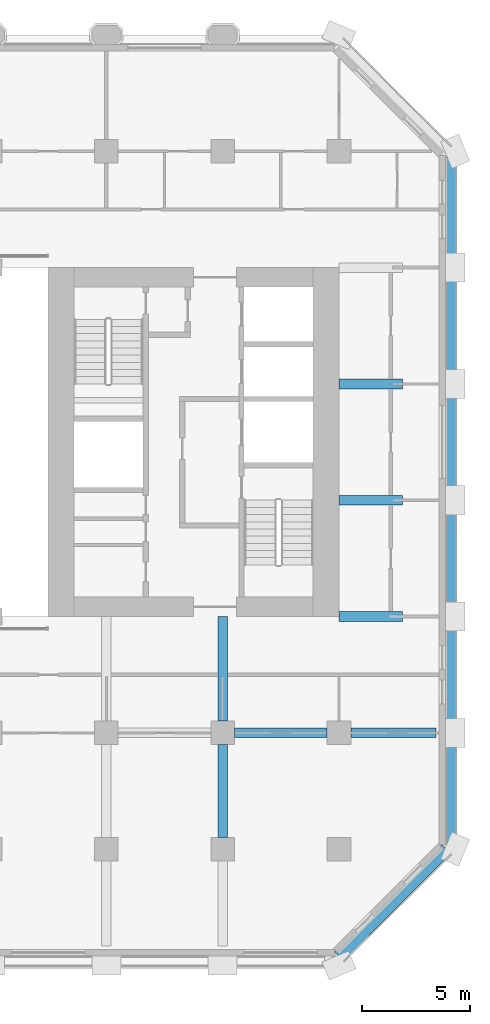
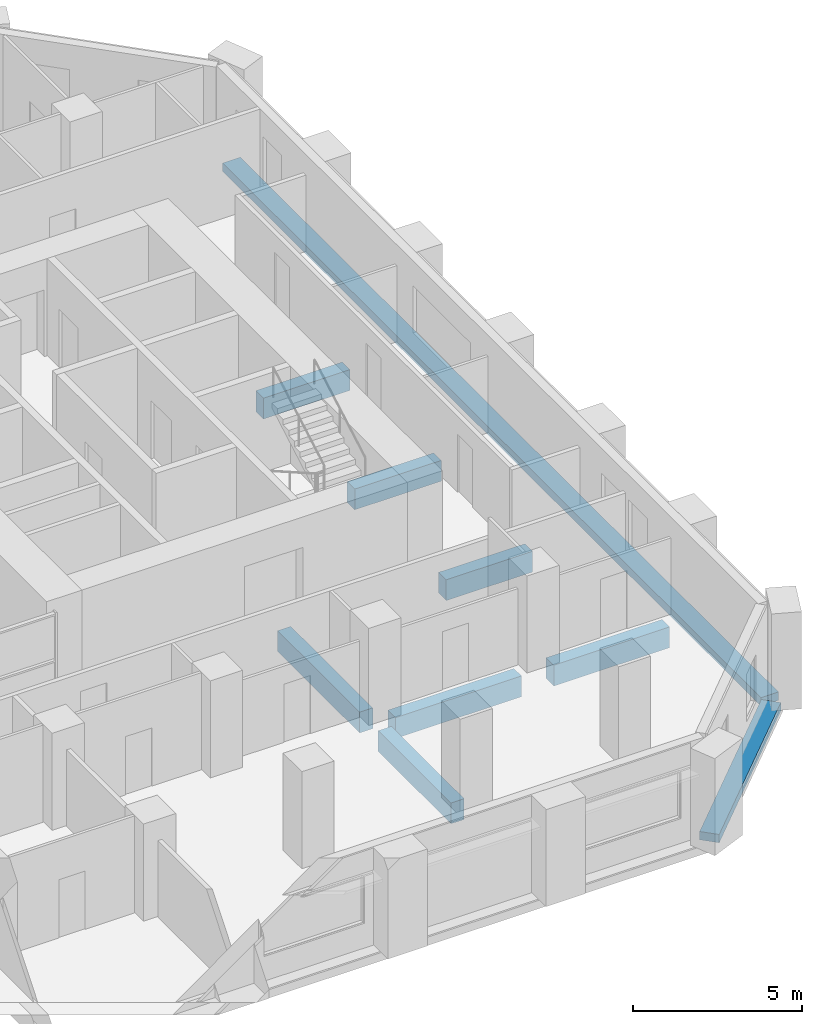
# One storey, part 5 of 13: 9 beams.
"""IFC4 building model written with IfcOpenShell, lengths in metres."""

import ifcopenshell
import ifcopenshell.guid

model = None  # the IFC model being written
_history = None  # IfcOwnerHistory: only IFC2X3 demands one
_inside = {}  # id of a spatial element -> (the spatial element, [elements in it])
_under = {}  # id of a project, library or spatial element -> (it, [spatial elements below it])
_declared = {}  # id of a project -> (the project, [libraries it declares])
_typed = {}  # id of a type object -> (the type object, [elements of that type])
_made_of = {}  # id of a material, layer set ... -> (it, [elements and type objects made of it])


def new_model(schema):
    """Start an empty IFC model of exactly this schema.

    Asked for "IFC4X3", IfcOpenShell would pick the latest addendum, in which some entities
    have other attributes; the version numbers below select the first issue.
    IFC2X3 requires an IfcOwnerHistory on every rooted entity: one is made here for all.
    """
    global model, _history
    if schema == "IFC4X3":
        model = ifcopenshell.file(schema_version=(4, 3, 0, 0))
    else:
        model = ifcopenshell.file(schema=schema)
    _inside.clear()
    _under.clear()
    _declared.clear()
    _typed.clear()
    _made_of.clear()
    _history = None
    if model.schema == "IFC2X3":
        org = make("IfcOrganization", Name="unknown")
        user = make(
            "IfcPersonAndOrganization",
            ThePerson=make("IfcPerson", FamilyName="unknown"),
            TheOrganization=org,
        )
        app = make(
            "IfcApplication",
            ApplicationDeveloper=org,
            Version="unknown",
            ApplicationFullName="unknown",
            ApplicationIdentifier="unknown",
        )
        _history = make(
            "IfcOwnerHistory",
            OwningUser=user,
            OwningApplication=app,
            ChangeAction="ADDED",
            CreationDate=0,
        )
    return model


def make(cls, **values):
    """One entity of the class cls with the attributes given. An attribute that is None is left unset."""
    return model.create_entity(
        cls, **{name: value for name, value in values.items() if value is not None}
    )


def rooted(cls, **values):
    """An entity with a GlobalId (a new one), such as an element, a storey or a relation."""
    return make(cls, GlobalId=ifcopenshell.guid.new(), OwnerHistory=_history, **values)


def si_unit(unit_type, name, prefix=None):
    """IfcSIUnit, for example si_unit("LENGTHUNIT", "METRE", prefix="MILLI")."""
    return make("IfcSIUnit", UnitType=unit_type, Prefix=prefix, Name=name)


def assignment(units):
    """IfcUnitAssignment: the units of a project."""
    return None if units is None else make("IfcUnitAssignment", Units=units)


def point(xyz):
    """IfcCartesianPoint."""
    return None if xyz is None else make("IfcCartesianPoint", Coordinates=xyz)


def direction(xyz):
    """IfcDirection."""
    return None if xyz is None else make("IfcDirection", DirectionRatios=xyz)


def frame(location, z_axis=None, x_axis=None):
    """IfcAxis2Placement3D, a coordinate frame: its origin and axes. An axis left out is left unset."""
    return make(
        "IfcAxis2Placement3D",
        Location=point(location),
        Axis=direction(z_axis),
        RefDirection=direction(x_axis),
    )


def frame_2d(location, x_axis=None):
    """IfcAxis2Placement2D, a coordinate frame in the plane: its origin and x axis."""
    return make(
        "IfcAxis2Placement2D", Location=point(location), RefDirection=direction(x_axis)
    )


def origin():
    """The frame at (0, 0, 0) with its axes left unset."""
    return frame((0.0, 0.0, 0.0))


def origin_2d():
    """The frame at (0, 0) in the plane with its x axis left unset."""
    return frame_2d((0.0, 0.0))


def place(relative_to, where):
    """IfcLocalPlacement: puts the frame where relative to a parent placement (None: the world)."""
    return make(
        "IfcLocalPlacement", PlacementRelTo=relative_to, RelativePlacement=where
    )


def context(
    kind, dimensions, precision=None, world=None, true_north=None, identifier=None
):
    """IfcGeometricRepresentationContext, for example the 3D "Model" context."""
    return make(
        "IfcGeometricRepresentationContext",
        ContextIdentifier=identifier,
        ContextType=kind,
        CoordinateSpaceDimension=dimensions,
        Precision=precision,
        WorldCoordinateSystem=world,
        TrueNorth=true_north,
    )


def subcontext(parent, identifier, kind, view, scale=None):
    """IfcGeometricRepresentationSubContext, for example "Body" below "Model"."""
    return make(
        "IfcGeometricRepresentationSubContext",
        ContextIdentifier=identifier,
        ContextType=kind,
        ParentContext=parent,
        TargetScale=scale,
        TargetView=view,
    )


def project(units=None, contexts=None):
    """IfcProject with its units and contexts."""
    return rooted(
        "IfcProject",
        Name="project",
        RepresentationContexts=contexts,
        UnitsInContext=assignment(units),
    )


def spatial(cls, under=None, at=None, **own):
    """A site, building, storey or space (cls), placed at a placement, below another one or the project."""
    s = rooted(cls, ObjectPlacement=at, **own)
    if under is not None:
        _under.setdefault(under.id(), (under, []))[1].append(s)
    return s


def profile(cls, at=None, kind="AREA", **sizes):
    """A parametric profile (cls). Its sizes go by their IFC names, for example OverallWidth=200.0."""
    return make(cls, ProfileType=kind, Position=at, **sizes)


def rectangle(**sizes):
    """IfcRectangleProfileDef."""
    return profile("IfcRectangleProfileDef", **sizes)


def extrude(swept, where, along, depth):
    """IfcExtrudedAreaSolid: the profile swept, set in the frame where, extruded along a direction by depth."""
    return make(
        "IfcExtrudedAreaSolid",
        SweptArea=swept,
        Position=where,
        ExtrudedDirection=direction(along),
        Depth=depth,
    )


def shape(context_of_items, identifier, shape_type, items):
    """IfcShapeRepresentation: the items that make up one representation, for example the "Body"."""
    return make(
        "IfcShapeRepresentation",
        ContextOfItems=context_of_items,
        RepresentationIdentifier=identifier,
        RepresentationType=shape_type,
        Items=items,
    )


def material(Name=None, Category=None):
    """IfcMaterial."""
    return make("IfcMaterial", Name=Name, Category=Category)


def material_profile(
    of_material, cross_section, Name=None, Category=None, Priority=None
):
    """IfcMaterialProfile: a cross section and its material."""
    return make(
        "IfcMaterialProfile",
        Name=Name,
        Material=of_material,
        Profile=cross_section,
        Priority=Priority,
        Category=Category,
    )


def profile_set(profiles, Name=None, composite=None):
    """IfcMaterialProfileSet."""
    return make(
        "IfcMaterialProfileSet",
        Name=Name,
        MaterialProfiles=profiles,
        CompositeProfile=composite,
    )


def made_of(thing, what):
    """Note that an element or type object is made of a material, layer set ...; save() writes the relation."""
    if what is not None:
        _made_of.setdefault(what.id(), (what, []))[1].append(thing)
    return thing


def type_object(cls, material=None, **own):
    """A type object (cls), such as IfcWallType, which elements share."""
    return made_of(rooted(cls, **own), material)


def element(
    cls,
    number,
    at=None,
    inside=None,
    cuts=None,
    type_object=None,
    material=None,
    context=None,
    identifier="Body",
    shape_type=None,
    held_by="IfcProductDefinitionShape",
    body=None,
    shapes=None,
    **own,
):
    """One element of the class cls, such as IfcWall. Its Tag is "e" and its number.

    at: its placement. inside: the storey or other place that contains it. cuts: it is an
    opening in that element (IfcRelVoidsElement). A single representation is given by context,
    identifier, shape_type and body (its items); several are given by shapes. held_by: the class
    of the entity that holds the representations. save() writes the other relations.
    """
    e = rooted(cls, Tag="e%d" % number, ObjectPlacement=at, **own)
    if body is not None:
        shapes = [shape(context, identifier, shape_type, body)]
    if shapes is not None:
        e.Representation = make(held_by, Representations=shapes)
    if inside is not None:
        _inside.setdefault(inside.id(), (inside, []))[1].append(e)
    if cuts is not None:
        rooted(
            "IfcRelVoidsElement", RelatingBuildingElement=cuts, RelatedOpeningElement=e
        )
    if type_object is not None:
        _typed.setdefault(type_object.id(), (type_object, []))[1].append(e)
    return made_of(e, material)


def aggregate(whole, parts):
    """IfcRelAggregates: a whole, such as a stair, and the parts it consists of."""
    return rooted("IfcRelAggregates", RelatingObject=whole, RelatedObjects=parts)


def save(model, path):
    """Write the relations noted so far, then the file.

    IfcRelAggregates (storeys below a building ...), IfcRelContainedInSpatialStructure (elements
    in a storey), IfcRelDefinesByType, IfcRelAssociatesMaterial and IfcRelDeclares: one each for
    every whole, place, type object, material and project.
    """
    for whole, parts in _under.values():
        aggregate(whole, parts)
    for where, things in _inside.values():
        rooted(
            "IfcRelContainedInSpatialStructure",
            RelatedElements=things,
            RelatingStructure=where,
        )
    for kind, things in _typed.values():
        rooted("IfcRelDefinesByType", RelatedObjects=things, RelatingType=kind)
    for what, things in _made_of.values():
        rooted("IfcRelAssociatesMaterial", RelatedObjects=things, RelatingMaterial=what)
    for by, libraries in _declared.values():
        rooted("IfcRelDeclares", RelatingContext=by, RelatedDefinitions=libraries)
    model.write(path)


model = new_model("IFC4")

# Units and contexts
model_context = context("Model", 3, precision=1e-05, world=origin(), true_north=direction((0.0, 1.0)))
body_context = subcontext(model_context, "Body", "Model", "MODEL_VIEW")
ifc_project = project(units=[si_unit("LENGTHUNIT", "METRE"), si_unit("AREAUNIT", "SQUARE_METRE"), si_unit("VOLUMEUNIT", "CUBIC_METRE"), si_unit("PLANEANGLEUNIT", "RADIAN"), si_unit("MASSUNIT", "GRAM", prefix="KILO")], contexts=[model_context])

# Site, building, storey
site_placement = place(None, origin())
site = spatial("IfcSite", under=ifc_project, at=site_placement, CompositionType="ELEMENT")
building_placement = place(site_placement, origin())
building = spatial("IfcBuilding", under=site, at=building_placement, Name="Tabaq Tower and Sports Hall", CompositionType="ELEMENT")
storey_placement = place(building_placement, frame((0.0, 0.0, 45.0)))
storey = spatial("IfcBuildingStorey", under=building, at=storey_placement, Name="L09", CompositionType="ELEMENT", Elevation=45.0)

# Beams
ifc_material_1 = material(Name="Concrete C40/50", Category="concrete")
ifc_material_profile_1 = material_profile(ifc_material_1, rectangle(XDim=0.449951171875, YDim=0.75, at=origin_2d()), Name="CB 450x750")
ifc_profile_set_1 = profile_set([ifc_material_profile_1], Name="Concrete C40/50")
beam_type_1 = type_object("IfcBeamType", Name="PT CANTILEVER BEAM CB 450x750 C40/50", PredefinedType="BEAM", material=ifc_profile_set_1)
beam_1_placement = place(storey_placement, frame((47.699951171875, 10.800048828125, -0.675048828125), z_axis=(-1.0, 0.0, 0.0), x_axis=(0.0, -1.0, 0.0)))
element("IfcBeam", 1, at=beam_1_placement, inside=storey, type_object=beam_type_1, Name="Cantilever Beam L09 E2 span 1", PredefinedType="BEAM", context=body_context, shape_type="SweptSolid", body=[
    extrude(rectangle(XDim=0.449951171875, YDim=0.75, at=origin_2d()), origin(), (0.0, 0.0, 1.0), 3.949951171875),
])
beam_2_placement = place(storey_placement, frame((42.64990234375, 10.800048828125, -0.675048828125), z_axis=(-1.0, 0.0, 0.0), x_axis=(0.0, -1.0, 0.0)))
element("IfcBeam", 2, at=beam_2_placement, inside=storey, type_object=beam_type_1, Name="Cantilever Beam L09 E2 span 2", PredefinedType="BEAM", context=body_context, shape_type="SweptSolid", body=[
    extrude(rectangle(XDim=0.449951171875, YDim=0.75, at=origin_2d()), origin(), (0.0, 0.0, 1.0), 4.2998046875),
])
for number, where, z_axis, x_axis, name in (
    (3, (46.14990234375, 16.199951171875, -0.675048828125), (-1.0, 0.0, 0.0), (0.0, -1.0, 0.0), "Cantilever Beam L09 E3 span 1"),
    (4, (46.14990234375, 21.60009765625, -0.675048828125), (-1.0, 0.0, 0.0), (0.0, -1.0, 0.0), "Cantilever Beam L09 E4 span 1"),
    (5, (46.14990234375, 27.0, -0.675048828125), (-1.0, 0.0, 0.0), (0.0, -1.0, 0.0), "Cantilever Beam L09 E5 span 1"),
):
    element("IfcBeam", number, at=place(storey_placement, frame(where, z_axis=z_axis, x_axis=x_axis)), inside=storey, type_object=beam_type_1, Name=name, PredefinedType="BEAM", context=body_context, shape_type="SweptSolid", body=[
        extrude(rectangle(XDim=0.449951171875, YDim=0.75, at=origin_2d()), origin(), (0.0, 0.0, 1.0), 2.949951171875),
    ])
beam_3_placement = place(storey_placement, frame((37.800048828125, 5.949951171875, -0.675048828125), z_axis=(0.0, 1.0, 0.0), x_axis=(-1.0, 0.0, 0.0)))
element("IfcBeam", 6, at=beam_3_placement, inside=storey, type_object=beam_type_1, Name="Cantilever Beam L09 S7 span 2", PredefinedType="BEAM", context=body_context, shape_type="SweptSolid", body=[
    extrude(rectangle(XDim=0.449951171875, YDim=0.75, at=origin_2d()), origin(), (0.0, 0.0, 1.0), 4.300048828125),
])
beam_4_placement = place(storey_placement, frame((37.800048828125, 11.35009765625, -0.675048828125), z_axis=(0.0, 1.0, 0.0), x_axis=(-1.0, 0.0, 0.0)))
element("IfcBeam", 7, at=beam_4_placement, inside=storey, type_object=beam_type_1, Name="Cantilever Beam L09 S7 span 3", PredefinedType="BEAM", context=body_context, shape_type="SweptSolid", body=[
    extrude(rectangle(XDim=0.449951171875, YDim=0.75, at=origin_2d()), origin(), (0.0, 0.0, 1.0), 4.849853515625),
])
ifc_material_2 = material(Name="Concrete C40/50", Category="concrete")
ifc_material_profile_2 = material_profile(ifc_material_2, rectangle(XDim=0.60009765625, YDim=0.300048828125, at=origin_2d()), Name="EB 600x300")
ifc_profile_set_2 = profile_set([ifc_material_profile_2], Name="Concrete C40/50")
beam_type_2 = type_object("IfcBeamType", Name="PT EDGE BEAM EB 600x300 C40/50", PredefinedType="SPANDREL", material=ifc_profile_set_2)
beam_5_placement = place(storey_placement, frame((43.198974609375, 0.42333984375, -0.14990234375), z_axis=(0.707106781187, 0.707106781187, 0.0), x_axis=(-0.707106781187, 0.707106781187, 0.0)))
element("IfcBeam", 8, at=beam_5_placement, inside=storey, type_object=beam_type_2, Name="Edge Beam L09 2", PredefinedType="SPANDREL", context=body_context, shape_type="SweptSolid", body=[
    extrude(rectangle(XDim=0.60009765625, YDim=0.300048828125, at=origin_2d()), origin(), (0.0, 0.0, 1.0), 7.03955078125),
])
beam_6_placement = place(storey_placement, frame((48.300048828125, 5.698486328125, -0.14990234375), z_axis=(0.0, 1.0, 0.0), x_axis=(-1.0, 0.0, 0.0)))
element("IfcBeam", 9, at=beam_6_placement, inside=storey, type_object=beam_type_2, Name="Edge Beam L09 3", PredefinedType="SPANDREL", context=body_context, shape_type="SweptSolid", body=[
    extrude(rectangle(XDim=0.60009765625, YDim=0.300048828125, at=origin_2d()), origin(), (0.0, 0.0, 1.0), 31.802978515625),
])

save(model, "model.ifc")
